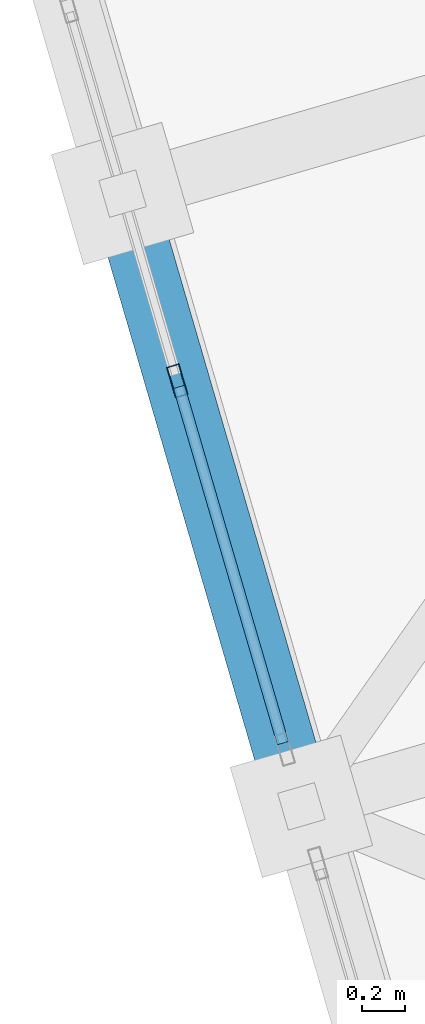
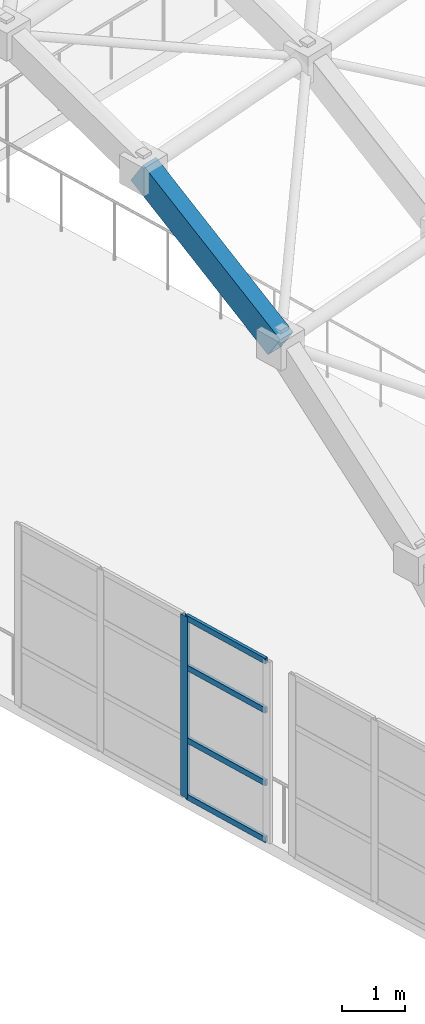
# One storey, part 31 of 248: 5 members, 1 beam, 1 element without a shape of its own.
"""IFC4 building model written with IfcOpenShell, lengths in metres."""

from ifc_helpers import new_model, si_unit, direction, frame, origin, origin_2d, place, context, subcontext, project, spatial, hollow_rectangle, extrude, material, layer, layer_set, material_profile, profile_set, type_object, element, aggregate, save


model = new_model("IFC4")

# Units and contexts
model_context = context("Model", 3, precision=1e-05, world=origin(), true_north=direction((0.0, 1.0)))
body_context = subcontext(model_context, "Body", "Model", "MODEL_VIEW")
ifc_project = project(units=[si_unit("LENGTHUNIT", "METRE"), si_unit("AREAUNIT", "SQUARE_METRE"), si_unit("VOLUMEUNIT", "CUBIC_METRE"), si_unit("PLANEANGLEUNIT", "RADIAN"), si_unit("MASSUNIT", "GRAM", prefix="KILO")], contexts=[model_context])

# Site, building, storey
site_placement = place(None, origin())
site = spatial("IfcSite", under=ifc_project, at=site_placement, CompositionType="ELEMENT")
building_placement = place(site_placement, origin())
building = spatial("IfcBuilding", under=site, at=building_placement, Name="Canggui Botanical Conservatory", CompositionType="ELEMENT")
storey_placement = place(building_placement, frame((0.0, 0.0, 5.39990234375)))
storey = spatial("IfcBuildingStorey", under=building, at=storey_placement, Name="L02", CompositionType="ELEMENT", Elevation=5.39990234375)

# Beam
ifc_material_1 = material(Name="Steel Q355C", Category="steel")
ifc_material_profile_1 = material_profile(ifc_material_1, hollow_rectangle(XDim=0.300048828125, YDim=0.5, WallThickness=0.01611328125, at=origin_2d()), Name="RHS 300x500x16")
ifc_profile_set_1 = profile_set([ifc_material_profile_1], Name="Steel Q355C")
beam_type = type_object("IfcBeamType", Name="BM-GJ01", PredefinedType="BEAM", material=ifc_profile_set_1)
beam_placement = place(storey_placement, frame((18.320068359375, 47.760009765625, 9.744140625), z_axis=(-0.235868359053, 0.808574008543, 0.539049339028), x_axis=(-0.959989061447, -0.280037500885, 0.0)))
element("IfcBeam", 1, at=beam_placement, inside=storey, type_object=beam_type, Name="Conservatory Stepped-Arch Rib GJ-01 Segment 3", PredefinedType="BEAM", context=body_context, shape_type="SweptSolid", body=[
    extrude(hollow_rectangle(XDim=0.300048828125, YDim=0.5, WallThickness=0.01611328125, at=origin_2d()), origin(), (0.0, 0.0, 1.0), 3.561767578125),
])

# Curtain wall, members
ifc_material_2 = material(Name="Thermally Broken Aluminium", Category="aluminium")
ifc_layer = layer(ifc_material_2, 0.14990234375, Name="Thermally Broken Aluminium", Category="aluminium")
ifc_layer_set = layer_set([ifc_layer], Name="Thermally Broken Aluminium")
curtain_wall_type = type_object("IfcCurtainWallType", Name="CW-UNIT-C", PredefinedType="USERDEFINED", material=ifc_layer_set)
curtain_wall_placement = place(storey_placement, origin())
curtain_wall = element("IfcCurtainWall", 2, at=curtain_wall_placement, inside=storey, type_object=curtain_wall_type, Name="Facade Curtain Wall CW-CONS-GABLE-L02-S-02", ObjectType="UNITISED CURTAIN WALL", PredefinedType="USERDEFINED")
ifc_material_profile_2 = material_profile(ifc_material_2, hollow_rectangle(XDim=0.06005859375, YDim=0.14990234375, WallThickness=0.00341796875, at=origin_2d()), Name="CWM 60x150x3.5")
ifc_profile_set_2 = profile_set([ifc_material_profile_2], Name="Thermally Broken Aluminium")
member_type_1 = type_object("IfcMemberType", Name="CWM-03", PredefinedType="MULLION", material=ifc_profile_set_2)
member_1_placement = place(storey_placement, frame((17.736572265625, 49.760009765625, 0.0), z_axis=(0.0, 0.0, 1.0), x_axis=(-0.960000000002, -0.279999999995, 0.0)))
member_1 = element("IfcMember", 3, at=member_1_placement, type_object=member_type_1, Name="CW-03 mullion 2", PredefinedType="MULLION", context=body_context, shape_type="SweptSolid", body=[
    extrude(hollow_rectangle(XDim=0.06005859375, YDim=0.14990234375, WallThickness=0.00341796875, at=origin_2d()), origin(), (0.0, 0.0, 1.0), 3.5),
])
ifc_material_profile_3 = material_profile(ifc_material_2, hollow_rectangle(XDim=0.054931640625, YDim=0.110107421875, WallThickness=0.0029296875, at=origin_2d()), Name="CWT 55x110x3")
ifc_profile_set_3 = profile_set([ifc_material_profile_3], Name="Thermally Broken Aluminium")
member_type_2 = type_object("IfcMemberType", Name="CWT-03", PredefinedType="USERDEFINED", material=ifc_profile_set_3)
member_2_placement = place(storey_placement, frame((18.233154296875, 48.0576171875, 0.027587890625), z_axis=(-0.279951599808, 0.960014115399, 0.0), x_axis=(-0.960014115399, -0.279951599808, 0.0)))
member_2 = element("IfcMember", 4, at=member_2_placement, type_object=member_type_2, Name="CW-03 transom 1.1", ObjectType="TRANSOM", PredefinedType="USERDEFINED", context=body_context, shape_type="SweptSolid", body=[
    extrude(hollow_rectangle(XDim=0.054931640625, YDim=0.110107421875, WallThickness=0.0029296875, at=origin_2d()), origin(), (0.0, 0.0, 1.0), 1.743408203125),
])
member_3_placement = place(storey_placement, frame((18.233154296875, 48.0576171875, 1.1201171875), z_axis=(-0.279951599808, 0.960014115399, 0.0), x_axis=(-0.960014115399, -0.279951599808, 0.0)))
member_3 = element("IfcMember", 5, at=member_3_placement, type_object=member_type_2, Name="CW-03 transom 1.2", ObjectType="TRANSOM", PredefinedType="USERDEFINED", context=body_context, shape_type="SweptSolid", body=[
    extrude(hollow_rectangle(XDim=0.054931640625, YDim=0.110107421875, WallThickness=0.0029296875, at=origin_2d()), origin(), (0.0, 0.0, 1.0), 1.743408203125),
])
member_4_placement = place(storey_placement, frame((18.233154296875, 48.0576171875, 2.52001953125), z_axis=(-0.279951599808, 0.960014115399, 0.0), x_axis=(-0.960014115399, -0.279951599808, 0.0)))
member_4 = element("IfcMember", 6, at=member_4_placement, type_object=member_type_2, Name="CW-03 transom 1.3", ObjectType="TRANSOM", PredefinedType="USERDEFINED", context=body_context, shape_type="SweptSolid", body=[
    extrude(hollow_rectangle(XDim=0.054931640625, YDim=0.110107421875, WallThickness=0.0029296875, at=origin_2d()), origin(), (0.0, 0.0, 1.0), 1.743408203125),
])
member_5_placement = place(storey_placement, frame((18.233154296875, 48.0576171875, 3.47265625), z_axis=(-0.279951599808, 0.960014115399, 0.0), x_axis=(-0.960014115399, -0.279951599808, 0.0)))
member_5 = element("IfcMember", 7, at=member_5_placement, type_object=member_type_2, Name="CW-03 transom 1.4", ObjectType="TRANSOM", PredefinedType="USERDEFINED", context=body_context, shape_type="SweptSolid", body=[
    extrude(hollow_rectangle(XDim=0.054931640625, YDim=0.110107421875, WallThickness=0.0029296875, at=origin_2d()), origin(), (0.0, 0.0, 1.0), 1.743408203125),
])
aggregate(curtain_wall, [member_1, member_2, member_3, member_4, member_5])

save(model, "model.ifc")
